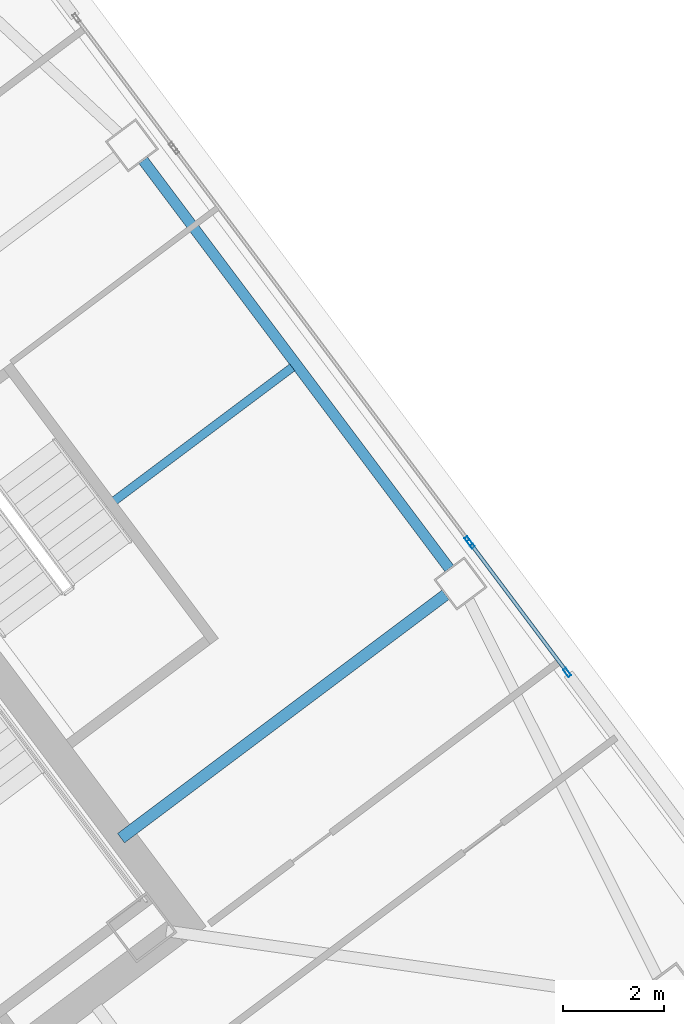
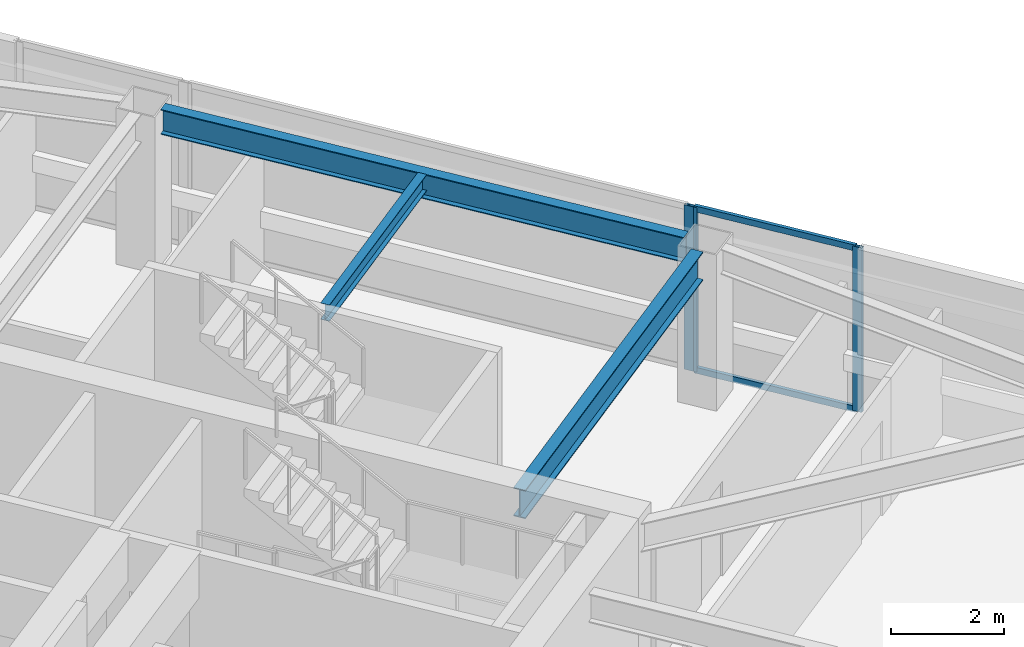
# One storey, part 26 of 42: 5 members, 3 beams, 2 elements without a shape of their own.
"""IFC4 building model written with IfcOpenShell, lengths in metres."""

from ifc_helpers import new_model, si_unit, direction, frame, origin, origin_2d, place, context, subcontext, project, spatial, hollow_rectangle, i_section, extrude, material, material_profile, profile_set, type_object, element, aggregate, save


model = new_model("IFC4")

# Units and contexts
model_context = context("Model", 3, precision=1e-05, world=origin(), true_north=direction((0.0, 1.0)))
body_context = subcontext(model_context, "Body", "Model", "MODEL_VIEW")
ifc_project = project(units=[si_unit("LENGTHUNIT", "METRE"), si_unit("AREAUNIT", "SQUARE_METRE"), si_unit("VOLUMEUNIT", "CUBIC_METRE"), si_unit("PLANEANGLEUNIT", "RADIAN"), si_unit("MASSUNIT", "GRAM", prefix="KILO")], contexts=[model_context])

# Site, building, storey
site_placement = place(None, origin())
site = spatial("IfcSite", under=ifc_project, at=site_placement, CompositionType="ELEMENT")
building_placement = place(site_placement, origin())
building = spatial("IfcBuilding", under=site, at=building_placement, Name="Tashvorn Skyway Center", CompositionType="ELEMENT")
storey_placement = place(building_placement, frame((0.0, 0.0, 164.10009765625)))
storey = spatial("IfcBuildingStorey", under=building, at=storey_placement, Name="L44", CompositionType="ELEMENT", Elevation=164.10009765625)

# Beams
ifc_material_1 = material(Name="Steel ASTM A992 Grade 50", Category="steel")
ifc_material_profile_1 = material_profile(ifc_material_1, i_section(OverallWidth=0.22998046875, OverallDepth=0.616943359375, WebThickness=0.01318359375, FlangeThickness=0.022216796875, at=origin_2d()), Name="W24X94")
ifc_profile_set_1 = profile_set([ifc_material_profile_1], Name="Steel ASTM A992 Grade 50")
beam_type_1 = type_object("IfcBeamType", Name="BM-BEAM-W24X94", PredefinedType="BEAM", material=ifc_profile_set_1)
beam_1_placement = place(storey_placement, frame((129.864013671875, 37.14794921875, 3.0615234375), z_axis=(-0.799992675677, -0.60000976564, 0.0), x_axis=(0.60000976564, -0.799992675677, 0.0)))
element("IfcBeam", 1, at=beam_1_placement, inside=storey, type_object=beam_type_1, Name="Tower 2 L44 Primary Floor Girder FC-E1", PredefinedType="BEAM", context=body_context, shape_type="SweptSolid", body=[
    extrude(i_section(OverallWidth=0.22998046875, OverallDepth=0.616943359375, WebThickness=0.01318359375, FlangeThickness=0.022216796875, at=origin_2d()), origin(), (0.0, 0.0, 1.0), 8.0),
])
ifc_material_profile_2 = material_profile(ifc_material_1, i_section(OverallWidth=0.1708984375, OverallDepth=0.35498046875, WebThickness=0.007080078125, FlangeThickness=0.01171875, at=origin_2d()), Name="W14X34")
ifc_profile_set_2 = profile_set([ifc_material_profile_2], Name="Steel ASTM A992 Grade 50")
beam_type_2 = type_object("IfcBeamType", Name="BM-JOIST-W14X34", PredefinedType="JOIST", material=ifc_profile_set_2)
beam_2_placement = place(storey_placement, frame((123.3359375, 39.001953125, 3.1923828125), z_axis=(0.799993315235, 0.600008912917, 0.0), x_axis=(-0.600008912917, 0.799993315235, 0.0)))
element("IfcBeam", 2, at=beam_2_placement, inside=storey, type_object=beam_type_2, Name="Tower 2 L44 Secondary Composite Joist JE", PredefinedType="JOIST", context=body_context, shape_type="SweptSolid", body=[
    extrude(i_section(OverallWidth=0.1708984375, OverallDepth=0.35498046875, WebThickness=0.007080078125, FlangeThickness=0.01171875, at=origin_2d()), origin(), (0.0, 0.0, 1.0), 4.382568359375),
])
ifc_material_profile_3 = material_profile(ifc_material_1, i_section(OverallWidth=0.2109375, OverallDepth=0.5390625, WebThickness=0.01171875, FlangeThickness=0.018798828125, at=origin_2d()), Name="W21X73")
ifc_profile_set_3 = profile_set([ifc_material_profile_3], Name="Steel ASTM A992 Grade 50")
beam_type_3 = type_object("IfcBeamType", Name="BM-SPANDREL-W21X73", PredefinedType="SPANDREL", material=ifc_profile_set_3)
beam_3_placement = place(storey_placement, frame((129.93798828125, 37.666015625, 3.100341796875), z_axis=(-0.599988351091, 0.800008736549, 0.0), x_axis=(-0.800008736549, -0.599988351091, 0.0)))
element("IfcBeam", 3, at=beam_3_placement, inside=storey, type_object=beam_type_3, Name="Tower 2 L44 Spandrel Beam 05", PredefinedType="SPANDREL", context=body_context, shape_type="SweptSolid", body=[
    extrude(i_section(OverallWidth=0.2109375, OverallDepth=0.5390625, WebThickness=0.01171875, FlangeThickness=0.018798828125, at=origin_2d()), origin(), (0.0, 0.0, 1.0), 10.06005859375),
])

# Curtain wall, member
ifc_material_2 = material(Name="Thermally broken bronze-anodized aluminium 6063-T6", Category="aluminium")
curtain_wall_type = type_object("IfcCurtainWallType", Name="CW-CW-Z4", PredefinedType="NOTDEFINED", material=ifc_material_2)
curtain_wall_1_placement = place(storey_placement, origin())
curtain_wall_1 = element("IfcCurtainWall", 4, at=curtain_wall_1_placement, inside=storey, type_object=curtain_wall_type, Name="Tower 2 L44 East Unitised Curtain Wall Glazing Group 2", PredefinedType="NOTDEFINED")
ifc_material_profile_4 = material_profile(ifc_material_2, hollow_rectangle(XDim=0.070068359375, YDim=0.179931640625, WallThickness=0.00390625, at=origin_2d()), Name="ALU-MULL-70x180")
ifc_profile_set_4 = profile_set([ifc_material_profile_4], Name="Thermally broken bronze-anodized aluminium 6063-T6")
member_type_1 = type_object("IfcMemberType", Name="CWM-CW-Z4", PredefinedType="MULLION", material=ifc_profile_set_4)
member_1_placement = place(storey_placement, frame((130.319091796875, 38.2080078125, 0.0), z_axis=(0.0, 0.0, 1.0), x_axis=(0.799999999998, 0.600000000002, 0.0)))
member_1 = element("IfcMember", 5, at=member_1_placement, type_object=member_type_1, Name="CW-Z4 mullion 2", PredefinedType="MULLION", context=body_context, shape_type="SweptSolid", body=[
    extrude(hollow_rectangle(XDim=0.070068359375, YDim=0.179931640625, WallThickness=0.00390625, at=origin_2d()), origin(), (0.0, 0.0, 1.0), 3.5498046875),
])
aggregate(curtain_wall_1, [member_1])

# Curtain wall, members
curtain_wall_2_placement = place(storey_placement, origin())
curtain_wall_2 = element("IfcCurtainWall", 6, at=curtain_wall_2_placement, inside=storey, type_object=curtain_wall_type, Name="Tower 2 L44 East Unitised Curtain Wall Glazing Group 3", PredefinedType="NOTDEFINED")
member_2_placement = place(storey_placement, frame((130.361083984375, 38.152099609375, 0.0), z_axis=(0.0, 0.0, 1.0), x_axis=(0.799999999998, 0.600000000002, 0.0)))
member_2 = element("IfcMember", 7, at=member_2_placement, type_object=member_type_1, Name="CW-Z4 mullion 1", PredefinedType="MULLION", context=body_context, shape_type="SweptSolid", body=[
    extrude(hollow_rectangle(XDim=0.070068359375, YDim=0.179931640625, WallThickness=0.00390625, at=origin_2d()), origin(), (0.0, 0.0, 1.0), 3.5498046875),
])
member_3_placement = place(storey_placement, frame((132.262939453125, 35.615966796875, 0.0), z_axis=(0.0, 0.0, 1.0), x_axis=(0.799999999998, 0.600000000002, 0.0)))
member_3 = element("IfcMember", 8, at=member_3_placement, type_object=member_type_1, Name="CW-Z4 mullion 2", PredefinedType="MULLION", context=body_context, shape_type="SweptSolid", body=[
    extrude(hollow_rectangle(XDim=0.070068359375, YDim=0.179931640625, WallThickness=0.00390625, at=origin_2d()), origin(), (0.0, 0.0, 1.0), 3.5498046875),
])
ifc_material_profile_5 = material_profile(ifc_material_2, hollow_rectangle(XDim=0.070068359375, YDim=0.1298828125, WallThickness=0.00390625, at=origin_2d()), Name="ALU-TRAN-70x130")
ifc_profile_set_5 = profile_set([ifc_material_profile_5], Name="Thermally broken bronze-anodized aluminium 6063-T6")
member_type_2 = type_object("IfcMemberType", Name="CWT-CW-Z4", PredefinedType="USERDEFINED", material=ifc_profile_set_5)
member_4_placement = place(storey_placement, frame((130.382080078125, 38.1240234375, 0.034912109375), z_axis=(0.599974797295, -0.800018901408, 0.0), x_axis=(0.800018901408, 0.599974797295, 0.0)))
member_4 = element("IfcMember", 9, at=member_4_placement, type_object=member_type_2, Name="CW-Z4 transom 1.1", ObjectType="TRANSOM", PredefinedType="USERDEFINED", context=body_context, shape_type="SweptSolid", body=[
    extrude(hollow_rectangle(XDim=0.070068359375, YDim=0.1298828125, WallThickness=0.00390625, at=origin_2d()), origin(), (0.0, 0.0, 1.0), 3.099853515625),
])
member_5_placement = place(storey_placement, frame((130.382080078125, 38.1240234375, 3.514892578125), z_axis=(0.599974797295, -0.800018901408, 0.0), x_axis=(0.800018901408, 0.599974797295, 0.0)))
member_5 = element("IfcMember", 10, at=member_5_placement, type_object=member_type_2, Name="CW-Z4 transom 1.2", ObjectType="TRANSOM", PredefinedType="USERDEFINED", context=body_context, shape_type="SweptSolid", body=[
    extrude(hollow_rectangle(XDim=0.070068359375, YDim=0.1298828125, WallThickness=0.00390625, at=origin_2d()), origin(), (0.0, 0.0, 1.0), 3.099853515625),
])
aggregate(curtain_wall_2, [member_2, member_3, member_4, member_5])

save(model, "model.ifc")
